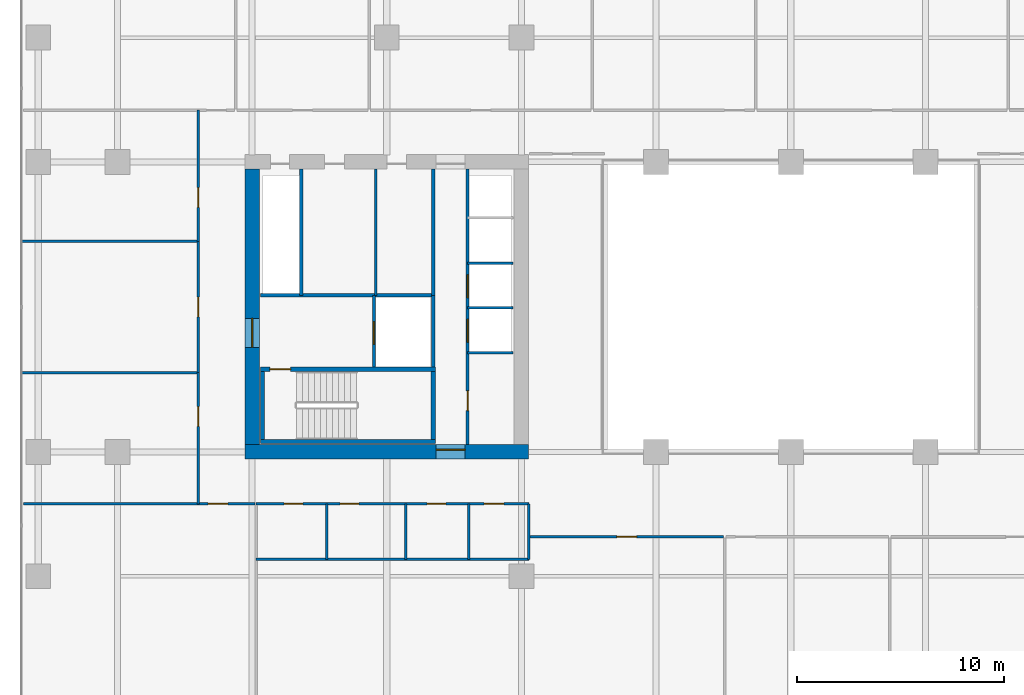
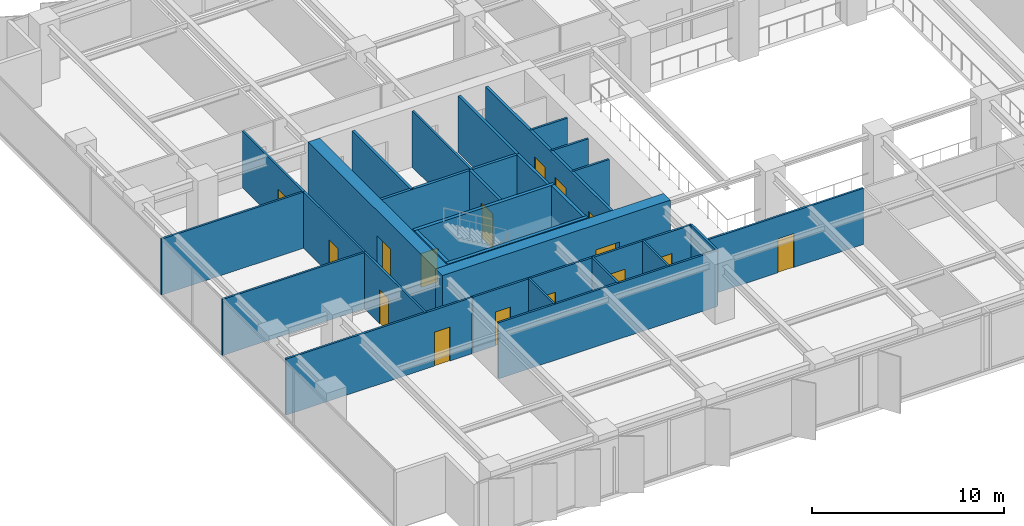
# One storey, part 13 of 20: 29 walls, 16 doors, 16 openings.
"""IFC4 building model written with IfcOpenShell, lengths in metres."""

from ifc_helpers import new_model, si_unit, direction, frame, frame_2d, origin, place, context, subcontext, project, spatial, rectangle, extrude, material, layer, layer_set, type_object, element, fill, save


model = new_model("IFC4")

# Units and contexts
model_context = context("Model", 3, precision=1e-05, world=origin(), true_north=direction((0.0, 1.0)))
body_context = subcontext(model_context, "Body", "Model", "MODEL_VIEW")
ifc_project = project(units=[si_unit("LENGTHUNIT", "METRE"), si_unit("AREAUNIT", "SQUARE_METRE"), si_unit("VOLUMEUNIT", "CUBIC_METRE"), si_unit("PLANEANGLEUNIT", "RADIAN"), si_unit("MASSUNIT", "GRAM", prefix="KILO")], contexts=[model_context])

# Site, building, storey
site_placement = place(None, origin())
site = spatial("IfcSite", under=ifc_project, at=site_placement, CompositionType="ELEMENT")
building_placement = place(site_placement, origin())
building = spatial("IfcBuilding", under=site, at=building_placement, Name="Putna Gate Headquarters", CompositionType="ELEMENT")
storey_placement = place(building_placement, frame((0.0, 0.0, 120.199951171875)))
storey = spatial("IfcBuildingStorey", under=building, at=storey_placement, Name="L29", CompositionType="ELEMENT", Elevation=120.199951171875)

# Wall, opening, door
ifc_material_1 = material(Name="Concrete C60/75", Category="concrete")
ifc_layer_1 = layer(ifc_material_1, 0.699951171875)
ifc_layer_set_1 = layer_set([ifc_layer_1], Name="Concrete C60/75")
wall_type_1 = type_object("IfcWallType", Name="WALL-CORE-700", PredefinedType="SHEAR", material=ifc_layer_set_1)
wall_1_placement = place(storey_placement, frame((12.64990234375, 19.0, 0.0), z_axis=(0.0, 0.0, 1.0), x_axis=(1.0, 0.0, 0.0)))
wall_1 = element("IfcWall", 1, at=wall_1_placement, inside=storey, type_object=wall_type_1, Name="L29 WC Split Core Shear Wall S", PredefinedType="SHEAR", context=body_context, shape_type="SweptSolid", body=[
    extrude(rectangle(XDim=13.7001953125, YDim=0.699951171875, at=frame_2d((6.85009765625, 0.0))), origin(), (0.0, 0.0, 1.0), 3.800048828125),
])
opening_1_placement = place(wall_1_placement, frame((9.22998046875, 0.0, 0.0)))
opening_1 = element("IfcOpeningElement", 2, at=opening_1_placement, cuts=wall_1, Name="Opening FDD-140", PredefinedType="OPENING", context=body_context, shape_type="SweptSolid", body=[
    extrude(rectangle(XDim=1.39990234375, YDim=2.199951171875, at=frame_2d((0.699951171875, 1.10009765625))), frame((0.0, 0.35986328125, 0.0), z_axis=(0.0, -1.0, 0.0), x_axis=(1.0, 0.0, 0.0)), (0.0, 0.0, 1.0), 0.719970703125),
])
ifc_material_2 = material(Name="Double steel fire door", Category="steel")
door_type_1 = type_object("IfcDoorType", Name="DOOR-FIRE-DBL-1400", OperationType="DOUBLE_DOOR_SINGLE_SWING", PredefinedType="DOOR", material=ifc_material_2)
door_1_placement = place(opening_1_placement, origin())
door_1 = element("IfcDoor", 3, at=door_1_placement, inside=storey, type_object=door_type_1, Name="L29 West Lift Lobby South Door", OperationType="DOUBLE_DOOR_SINGLE_SWING", OverallHeight=2.199951171875, OverallWidth=1.39990234375, PredefinedType="DOOR", context=body_context, shape_type="SweptSolid", body=[
    extrude(rectangle(XDim=1.39990234375, YDim=2.199951171875, at=frame_2d((0.699951171875, 1.10009765625))), frame((0.0, 0.125, 0.0), z_axis=(0.0, -1.0, 0.0), x_axis=(1.0, 0.0, 0.0)), (0.0, 0.0, 1.0), 0.050048828125),
])
fill(opening_1, door_1)

wall_2_placement = place(storey_placement, frame((13.0, 19.35009765625, 0.0), z_axis=(0.0, 0.0, 1.0), x_axis=(0.0, 1.0, 0.0)))
wall_2 = element("IfcWall", 4, at=wall_2_placement, inside=storey, type_object=wall_type_1, Name="L29 WC Split Core Shear Wall W", PredefinedType="SHEAR", context=body_context, shape_type="SweptSolid", body=[
    extrude(rectangle(XDim=13.2998046875, YDim=0.699951171875, at=frame_2d((6.64990234375, 0.0))), origin(), (0.0, 0.0, 1.0), 3.800048828125),
])
opening_2_placement = place(wall_2_placement, frame((4.699951171875, 0.0, 0.0)))
opening_2 = element("IfcOpeningElement", 5, at=opening_2_placement, cuts=wall_2, Name="Opening FDD-140", PredefinedType="OPENING", context=body_context, shape_type="SweptSolid", body=[
    extrude(rectangle(XDim=1.39990234375, YDim=2.199951171875, at=frame_2d((0.699951171875, 1.10009765625))), frame((0.0, 0.35986328125, 0.0), z_axis=(0.0, -1.0, 0.0), x_axis=(1.0, 0.0, 0.0)), (0.0, 0.0, 1.0), 0.719970703125),
])
door_2_placement = place(opening_2_placement, origin())
door_2 = element("IfcDoor", 6, at=door_2_placement, inside=storey, type_object=door_type_1, Name="L29 West Firefighting Lobby Door", OperationType="DOUBLE_DOOR_SINGLE_SWING", OverallHeight=2.199951171875, OverallWidth=1.39990234375, PredefinedType="DOOR", context=body_context, shape_type="SweptSolid", body=[
    extrude(rectangle(XDim=1.39990234375, YDim=2.199951171875, at=frame_2d((0.699951171875, 1.10009765625))), frame((0.0, 0.02490234375, 0.0), z_axis=(0.0, -1.0, 0.0), x_axis=(1.0, 0.0, 0.0)), (0.0, 0.0, 1.0), 0.050048828125),
])
fill(opening_2, door_2)

# Walls
ifc_material_3 = material(Name="Acoustic gypsum board on metal stud")
ifc_layer_2 = layer(ifc_material_3, 0.1201171875)
ifc_layer_set_2 = layer_set([ifc_layer_2], Name="Acoustic gypsum board on metal stud")
wall_type_2 = type_object("IfcWallType", Name="WALL-PART-120", PredefinedType="PARTITIONING", material=ifc_layer_set_2)
for number, where, z_axis, x_axis, name in (
    (7, (1.820068359375, 22.833251953125, 0.0), (0.0, 0.0, 1.0), (1.0, 0.0, 0.0), "L29 Interior Wall PART-L29-WW-DIV-1"),
    (8, (1.820068359375, 29.166748046875, 0.0), (0.0, 0.0, 1.0), (1.0, 0.0, 0.0), "L29 Interior Wall PART-L29-WW-DIV-2"),
):
    element("IfcWall", number, at=place(storey_placement, frame(where, z_axis=z_axis, x_axis=x_axis)), inside=storey, type_object=wall_type_2, Name=name, PredefinedType="PARTITIONING", context=body_context, shape_type="SweptSolid", body=[
        extrude(rectangle(XDim=8.579833984375, YDim=0.1201171875, at=frame_2d((4.2900390625, 0.0))), origin(), (0.0, 0.0, 1.0), 3.56494140625),
    ])
ifc_material_4 = material(Name="Fire-rated shaftwall gypsum board on metal stud")
ifc_layer_3 = layer(ifc_material_4, 0.1201171875)
ifc_layer_set_3 = layer_set([ifc_layer_3], Name="Fire-rated shaftwall gypsum board on metal stud")
wall_type_3 = type_object("IfcWallType", Name="WALL-PART-120-EI120", PredefinedType="PARTITIONING", material=ifc_layer_set_3)
for number, where, z_axis, x_axis, name in (
    (9, (23.39990234375, 25.949951171875, 0.0), (0.0, 0.0, 1.0), (1.0, 0.0, 0.0), "L29 Interior Wall CWINT-L29-WC-LF05-DIV"),
    (10, (23.39990234375, 28.1201171875, 0.0), (0.0, 0.0, 1.0), (1.0, 0.0, 0.0), "L29 Interior Wall CWINT-L29-WC-LF06-DIV"),
):
    element("IfcWall", number, at=place(storey_placement, frame(where, z_axis=z_axis, x_axis=x_axis)), inside=storey, type_object=wall_type_3, Name=name, PredefinedType="PARTITIONING", context=body_context, shape_type="SweptSolid", body=[
        extrude(rectangle(XDim=2.2001953125, YDim=0.1201171875, at=frame_2d((1.10009765625, 0.0))), origin(), (0.0, 0.0, 1.0), 3.56494140625),
    ])
ifc_material_5 = material(Name="Fire-rated gypsum board on metal stud")
ifc_layer_4 = layer(ifc_material_5, 0.1201171875)
ifc_layer_set_4 = layer_set([ifc_layer_4], Name="Fire-rated gypsum board on metal stud")
wall_type_4 = type_object("IfcWallType", Name="WALL-PART-120-RATED", PredefinedType="PARTITIONING", material=ifc_layer_set_4)
wall_3_placement = place(storey_placement, frame((18.969970703125, 26.56005859375, 0.0), z_axis=(0.0, 0.0, 1.0), x_axis=(0.0, 1.0, 0.0)))
element("IfcWall", 11, at=wall_3_placement, inside=storey, type_object=wall_type_4, Name="L29 Interior Wall CWINT-L29-WC-K0-DIV", PredefinedType="PARTITIONING", context=body_context, shape_type="SweptSolid", body=[
    extrude(rectangle(XDim=6.08984375, YDim=0.1201171875, at=frame_2d((3.044921875, 0.0))), origin(), (0.0, 0.0, 1.0), 3.56494140625),
])
wall_4_placement = place(storey_placement, frame((23.39990234375, 23.780029296875, 0.0), z_axis=(0.0, 0.0, 1.0), x_axis=(1.0, 0.0, 0.0)))
element("IfcWall", 12, at=wall_4_placement, inside=storey, type_object=wall_type_4, Name="L29 Interior Wall CWINT-L29-WC-LF02-DIV", PredefinedType="PARTITIONING", context=body_context, shape_type="SweptSolid", body=[
    extrude(rectangle(XDim=2.2001953125, YDim=0.1201171875, at=frame_2d((1.10009765625, 0.0))), origin(), (0.0, 0.0, 1.0), 3.56494140625),
])

# Wall, openings, doors
wall_5_placement = place(storey_placement, frame((13.199951171875, 16.5, 0.0), z_axis=(0.0, 0.0, 1.0), x_axis=(1.0, 0.0, 0.0)))
wall_5 = element("IfcWall", 13, at=wall_5_placement, inside=storey, type_object=wall_type_4, Name="L29 Interior Wall PART-L29-SAN-CW", PredefinedType="PARTITIONING", context=body_context, shape_type="SweptSolid", body=[
    extrude(rectangle(XDim=13.16015625, YDim=0.1201171875, at=frame_2d((6.580078125, 0.0))), origin(), (0.0, 0.0, 1.0), 3.56494140625),
])
opening_3_placement = place(wall_5_placement, frame((1.35009765625, 0.0, 0.0)))
opening_3 = element("IfcOpeningElement", 14, at=opening_3_placement, cuts=wall_5, Name="Opening FD-90", PredefinedType="OPENING", context=body_context, shape_type="SweptSolid", body=[
    extrude(rectangle(XDim=0.89990234375, YDim=2.14990234375, at=frame_2d((0.449951171875, 1.074951171875))), frame((0.0, 0.070068359375, 0.0), z_axis=(0.0, -1.0, 0.0), x_axis=(1.0, 0.0, 0.0)), (0.0, 0.0, 1.0), 0.14013671875),
])
opening_4_placement = place(wall_5_placement, frame((4.050048828125, 0.0, 0.0)))
opening_4 = element("IfcOpeningElement", 15, at=opening_4_placement, cuts=wall_5, Name="Opening FD-90", PredefinedType="OPENING", context=body_context, shape_type="SweptSolid", body=[
    extrude(rectangle(XDim=0.89990234375, YDim=2.14990234375, at=frame_2d((0.449951171875, 1.074951171875))), frame((0.0, 0.070068359375, 0.0), z_axis=(0.0, -1.0, 0.0), x_axis=(1.0, 0.0, 0.0)), (0.0, 0.0, 1.0), 0.14013671875),
])
opening_5_placement = place(wall_5_placement, frame((8.25, 0.0, 0.0)))
opening_5 = element("IfcOpeningElement", 16, at=opening_5_placement, cuts=wall_5, Name="Opening FD-90", PredefinedType="OPENING", context=body_context, shape_type="SweptSolid", body=[
    extrude(rectangle(XDim=0.89990234375, YDim=2.14990234375, at=frame_2d((0.449951171875, 1.074951171875))), frame((0.0, 0.070068359375, 0.0), z_axis=(0.0, -1.0, 0.0), x_axis=(1.0, 0.0, 0.0)), (0.0, 0.0, 1.0), 0.14013671875),
])
opening_6_placement = place(wall_5_placement, frame((11.0, 0.0, 0.0)))
opening_6 = element("IfcOpeningElement", 17, at=opening_6_placement, cuts=wall_5, Name="Opening FD-95", PredefinedType="OPENING", context=body_context, shape_type="SweptSolid", body=[
    extrude(rectangle(XDim=0.949951171875, YDim=2.14990234375, at=frame_2d((0.47509765625, 1.074951171875))), frame((0.0, 0.070068359375, 0.0), z_axis=(0.0, -1.0, 0.0), x_axis=(1.0, 0.0, 0.0)), (0.0, 0.0, 1.0), 0.14013671875),
])
ifc_material_6 = material(Name="Acoustic washroom fire door")
door_type_2 = type_object("IfcDoorType", Name="DOOR-FIRE-900", OperationType="NOTDEFINED", PredefinedType="DOOR", material=ifc_material_6)
door_3_placement = place(opening_3_placement, origin())
door_3 = element("IfcDoor", 18, at=door_3_placement, inside=storey, type_object=door_type_2, Name="L29 Washroom Male Door", OperationType="SINGLE_SWING_LEFT", OverallHeight=2.14990234375, OverallWidth=0.89990234375, PredefinedType="DOOR", context=body_context, shape_type="SweptSolid", body=[
    extrude(rectangle(XDim=0.89990234375, YDim=2.14990234375, at=frame_2d((0.449951171875, 1.074951171875))), frame((0.0, 0.02490234375, 0.0), z_axis=(0.0, -1.0, 0.0), x_axis=(1.0, 0.0, 0.0)), (0.0, 0.0, 1.0), 0.050048828125),
])
fill(opening_3, door_3)
door_4_placement = place(opening_4_placement, origin())
door_4 = element("IfcDoor", 19, at=door_4_placement, inside=storey, type_object=door_type_2, Name="L29 Washroom Female Door", OperationType="SINGLE_SWING_RIGHT", OverallHeight=2.14990234375, OverallWidth=0.89990234375, PredefinedType="DOOR", context=body_context, shape_type="SweptSolid", body=[
    extrude(rectangle(XDim=0.89990234375, YDim=2.14990234375, at=frame_2d((0.449951171875, 1.074951171875))), frame((0.0, 0.02490234375, 0.0), z_axis=(0.0, -1.0, 0.0), x_axis=(1.0, 0.0, 0.0)), (0.0, 0.0, 1.0), 0.050048828125),
])
fill(opening_4, door_4)
door_5_placement = place(opening_5_placement, origin())
door_5 = element("IfcDoor", 20, at=door_5_placement, inside=storey, type_object=door_type_2, Name="L29 Accessible WC Door", OperationType="SINGLE_SWING_LEFT", OverallHeight=2.14990234375, OverallWidth=0.89990234375, PredefinedType="DOOR", context=body_context, shape_type="SweptSolid", body=[
    extrude(rectangle(XDim=0.89990234375, YDim=2.14990234375, at=frame_2d((0.449951171875, 1.074951171875))), frame((0.0, 0.02490234375, 0.0), z_axis=(0.0, -1.0, 0.0), x_axis=(1.0, 0.0, 0.0)), (0.0, 0.0, 1.0), 0.050048828125),
])
fill(opening_5, door_5)
ifc_material_7 = material(Name="Acoustic timber fire door", Category="wood")
door_type_3 = type_object("IfcDoorType", Name="DOOR-FIRE-950", OperationType="NOTDEFINED", PredefinedType="DOOR", material=ifc_material_7)
door_6_placement = place(opening_6_placement, origin())
door_6 = element("IfcDoor", 21, at=door_6_placement, inside=storey, type_object=door_type_3, Name="L29 Staff Pantry and Tea Point Door", OperationType="SINGLE_SWING_RIGHT", OverallHeight=2.14990234375, OverallWidth=0.949951171875, PredefinedType="DOOR", context=body_context, shape_type="SweptSolid", body=[
    extrude(rectangle(XDim=0.949951171875, YDim=2.14990234375, at=frame_2d((0.47509765625, 1.074951171875))), frame((0.0, 0.02490234375, 0.0), z_axis=(0.0, -1.0, 0.0), x_axis=(1.0, 0.0, 0.0)), (0.0, 0.0, 1.0), 0.050048828125),
])
fill(opening_6, door_6)

# Walls
wall_6_placement = place(storey_placement, frame((13.199951171875, 13.820068359375, 0.0), z_axis=(0.0, 0.0, 1.0), x_axis=(1.0, 0.0, 0.0)))
element("IfcWall", 22, at=wall_6_placement, inside=storey, type_object=wall_type_4, Name="L29 Interior Wall PART-L29-SAN-BACK", PredefinedType="PARTITIONING", context=body_context, shape_type="SweptSolid", body=[
    extrude(rectangle(XDim=13.16015625, YDim=0.1201171875, at=frame_2d((6.580078125, 0.0))), origin(), (0.0, 0.0, 1.0), 3.56494140625),
])
for number, where, z_axis, x_axis, name in (
    (23, (16.60009765625, 13.820068359375, 0.0), (0.0, 0.0, 1.0), (0.0, 1.0, 0.0), "L29 Interior Wall PART-L29-SAN-DIV-1"),
    (24, (20.419921875, 13.820068359375, 0.0), (0.0, 0.0, 1.0), (0.0, 1.0, 0.0), "L29 Interior Wall PART-L29-SAN-DIV-2"),
    (25, (23.4599609375, 13.820068359375, 0.0), (0.0, 0.0, 1.0), (0.0, 1.0, 0.0), "L29 Interior Wall PART-L29-SAN-DIV-3"),
    (26, (26.360107421875, 13.820068359375, 0.0), (0.0, 0.0, 1.0), (0.0, 1.0, 0.0), "L29 Interior Wall PART-L29-SAN-DIV-4"),
):
    element("IfcWall", number, at=place(storey_placement, frame(where, z_axis=z_axis, x_axis=x_axis)), inside=storey, type_object=wall_type_4, Name=name, PredefinedType="PARTITIONING", context=body_context, shape_type="SweptSolid", body=[
        extrude(rectangle(XDim=2.679931640625, YDim=0.1201171875, at=frame_2d((1.33984375, 0.0))), origin(), (0.0, 0.0, 1.0), 3.56494140625),
    ])

# Wall, opening, door
wall_7_placement = place(storey_placement, frame((1.97998046875, 16.5, 0.0), z_axis=(0.0, 0.0, 1.0), x_axis=(1.0, 0.0, 0.0)))
wall_7 = element("IfcWall", 27, at=wall_7_placement, inside=storey, type_object=wall_type_4, Name="L29 Interior Wall PART-L29-SB-CW-01", PredefinedType="PARTITIONING", context=body_context, shape_type="SweptSolid", body=[
    extrude(rectangle(XDim=11.159912109375, YDim=0.1201171875, at=frame_2d((5.580078125, 0.0))), origin(), (0.0, 0.0, 1.0), 3.56494140625),
])
opening_7_placement = place(wall_7_placement, frame((8.89990234375, 0.0, 0.0)))
opening_7 = element("IfcOpeningElement", 28, at=opening_7_placement, cuts=wall_7, Name="Opening FD-95", PredefinedType="OPENING", context=body_context, shape_type="SweptSolid", body=[
    extrude(rectangle(XDim=0.949951171875, YDim=2.14990234375, at=frame_2d((0.47509765625, 1.074951171875))), frame((0.0, 0.070068359375, 0.0), z_axis=(0.0, -1.0, 0.0), x_axis=(1.0, 0.0, 0.0)), (0.0, 0.0, 1.0), 0.14013671875),
])
door_7_placement = place(opening_7_placement, origin())
door_7 = element("IfcDoor", 29, at=door_7_placement, inside=storey, type_object=door_type_3, Name="L29 Cellular Office 1 Door", OperationType="SINGLE_SWING_LEFT", OverallHeight=2.14990234375, OverallWidth=0.949951171875, PredefinedType="DOOR", context=body_context, shape_type="SweptSolid", body=[
    extrude(rectangle(XDim=0.949951171875, YDim=2.14990234375, at=frame_2d((0.47509765625, 1.074951171875))), frame((0.0, 0.02490234375, 0.0), z_axis=(0.0, -1.0, 0.0), x_axis=(1.0, 0.0, 0.0)), (0.0, 0.0, 1.0), 0.050048828125),
])
fill(opening_7, door_7)

wall_8_placement = place(storey_placement, frame((26.419921875, 14.89990234375, 0.0), z_axis=(0.0, 0.0, 1.0), x_axis=(1.0, 0.0, 0.0)))
wall_8 = element("IfcWall", 30, at=wall_8_placement, inside=storey, type_object=wall_type_4, Name="L29 Interior Wall PART-L29-SB-CW-02", PredefinedType="PARTITIONING", context=body_context, shape_type="SweptSolid", body=[
    extrude(rectangle(XDim=9.320068359375, YDim=0.1201171875, at=frame_2d((4.66015625, 0.0))), origin(), (0.0, 0.0, 1.0), 3.56494140625),
])
opening_8_placement = place(wall_8_placement, frame((4.18505859375, 0.0, 0.0)))
opening_8 = element("IfcOpeningElement", 31, at=opening_8_placement, cuts=wall_8, Name="Opening FD-95", PredefinedType="OPENING", context=body_context, shape_type="SweptSolid", body=[
    extrude(rectangle(XDim=0.949951171875, YDim=2.14990234375, at=frame_2d((0.47509765625, 1.074951171875))), frame((0.0, 0.070068359375, 0.0), z_axis=(0.0, -1.0, 0.0), x_axis=(1.0, 0.0, 0.0)), (0.0, 0.0, 1.0), 0.14013671875),
])
door_8_placement = place(opening_8_placement, origin())
door_8 = element("IfcDoor", 32, at=door_8_placement, inside=storey, type_object=door_type_3, Name="L29 Primary Open Office Workplace Door", OperationType="SINGLE_SWING_RIGHT", OverallHeight=2.14990234375, OverallWidth=0.949951171875, PredefinedType="DOOR", context=body_context, shape_type="SweptSolid", body=[
    extrude(rectangle(XDim=0.949951171875, YDim=2.14990234375, at=frame_2d((0.47509765625, 1.074951171875))), frame((0.0, 0.02490234375, 0.0), z_axis=(0.0, -1.0, 0.0), x_axis=(1.0, 0.0, 0.0)), (0.0, 0.0, 1.0), 0.050048828125),
])
fill(opening_8, door_8)

wall_9_placement = place(storey_placement, frame((10.39990234375, 16.5, 0.0), z_axis=(0.0, 0.0, 1.0), x_axis=(0.0, 1.0, 0.0)))
wall_9 = element("IfcWall", 33, at=wall_9_placement, inside=storey, type_object=wall_type_4, Name="L29 Interior Wall PART-L29-WW-CW-1", PredefinedType="PARTITIONING", context=body_context, shape_type="SweptSolid", body=[
    extrude(rectangle(XDim=6.333251953125, YDim=0.1201171875, at=frame_2d((3.16650390625, 0.0))), origin(), (0.0, 0.0, 1.0), 3.56494140625),
])
opening_9_placement = place(wall_9_placement, frame((3.74169921875, 0.0, 0.0)))
opening_9 = element("IfcOpeningElement", 34, at=opening_9_placement, cuts=wall_9, Name="Opening FD-95", PredefinedType="OPENING", context=body_context, shape_type="SweptSolid", body=[
    extrude(rectangle(XDim=0.949951171875, YDim=2.14990234375, at=frame_2d((0.47509765625, 1.074951171875))), frame((0.0, 0.070068359375, 0.0), z_axis=(0.0, -1.0, 0.0), x_axis=(1.0, 0.0, 0.0)), (0.0, 0.0, 1.0), 0.14013671875),
])
door_9_placement = place(opening_9_placement, origin())
door_9 = element("IfcDoor", 35, at=door_9_placement, inside=storey, type_object=door_type_3, Name="L29 West Project Meeting Room 1 Door", OperationType="SINGLE_SWING_LEFT", OverallHeight=2.14990234375, OverallWidth=0.949951171875, PredefinedType="DOOR", context=body_context, shape_type="SweptSolid", body=[
    extrude(rectangle(XDim=0.949951171875, YDim=2.14990234375, at=frame_2d((0.47509765625, 1.074951171875))), frame((0.0, 0.02490234375, 0.0), z_axis=(0.0, -1.0, 0.0), x_axis=(1.0, 0.0, 0.0)), (0.0, 0.0, 1.0), 0.050048828125),
])
fill(opening_9, door_9)

wall_10_placement = place(storey_placement, frame((10.39990234375, 22.833251953125, 0.0), z_axis=(0.0, 0.0, 1.0), x_axis=(0.0, 1.0, 0.0)))
wall_10 = element("IfcWall", 36, at=wall_10_placement, inside=storey, type_object=wall_type_4, Name="L29 Interior Wall PART-L29-WW-CW-2", PredefinedType="PARTITIONING", context=body_context, shape_type="SweptSolid", body=[
    extrude(rectangle(XDim=6.33349609375, YDim=0.1201171875, at=frame_2d((3.166748046875, 0.0))), origin(), (0.0, 0.0, 1.0), 3.56494140625),
])
opening_10_placement = place(wall_10_placement, frame((2.691650390625, 0.0, 0.0)))
opening_10 = element("IfcOpeningElement", 37, at=opening_10_placement, cuts=wall_10, Name="Opening FD-95", PredefinedType="OPENING", context=body_context, shape_type="SweptSolid", body=[
    extrude(rectangle(XDim=0.949951171875, YDim=2.14990234375, at=frame_2d((0.47509765625, 1.074951171875))), frame((0.0, 0.070068359375, 0.0), z_axis=(0.0, -1.0, 0.0), x_axis=(1.0, 0.0, 0.0)), (0.0, 0.0, 1.0), 0.14013671875),
])
door_10_placement = place(opening_10_placement, origin())
door_10 = element("IfcDoor", 38, at=door_10_placement, inside=storey, type_object=door_type_3, Name="L29 West Project Meeting Room 2 Door", OperationType="SINGLE_SWING_RIGHT", OverallHeight=2.14990234375, OverallWidth=0.949951171875, PredefinedType="DOOR", context=body_context, shape_type="SweptSolid", body=[
    extrude(rectangle(XDim=0.949951171875, YDim=2.14990234375, at=frame_2d((0.47509765625, 1.074951171875))), frame((0.0, 0.02490234375, 0.0), z_axis=(0.0, -1.0, 0.0), x_axis=(1.0, 0.0, 0.0)), (0.0, 0.0, 1.0), 0.050048828125),
])
fill(opening_10, door_10)

wall_11_placement = place(storey_placement, frame((10.39990234375, 29.166748046875, 0.0), z_axis=(0.0, 0.0, 1.0), x_axis=(0.0, 1.0, 0.0)))
wall_11 = element("IfcWall", 39, at=wall_11_placement, inside=storey, type_object=wall_type_4, Name="L29 Interior Wall PART-L29-WW-CW-3", PredefinedType="PARTITIONING", context=body_context, shape_type="SweptSolid", body=[
    extrude(rectangle(XDim=6.333251953125, YDim=0.1201171875, at=frame_2d((3.16650390625, 0.0))), origin(), (0.0, 0.0, 1.0), 3.56494140625),
])
opening_11_placement = place(wall_11_placement, frame((1.6416015625, 0.0, 0.0)))
opening_11 = element("IfcOpeningElement", 40, at=opening_11_placement, cuts=wall_11, Name="Opening FD-95", PredefinedType="OPENING", context=body_context, shape_type="SweptSolid", body=[
    extrude(rectangle(XDim=0.949951171875, YDim=2.14990234375, at=frame_2d((0.47509765625, 1.074951171875))), frame((0.0, 0.070068359375, 0.0), z_axis=(0.0, -1.0, 0.0), x_axis=(1.0, 0.0, 0.0)), (0.0, 0.0, 1.0), 0.14013671875),
])
door_11_placement = place(opening_11_placement, origin())
door_11 = element("IfcDoor", 41, at=door_11_placement, inside=storey, type_object=door_type_3, Name="L29 West Project Meeting Room 3 Door", OperationType="SINGLE_SWING_LEFT", OverallHeight=2.14990234375, OverallWidth=0.949951171875, PredefinedType="DOOR", context=body_context, shape_type="SweptSolid", body=[
    extrude(rectangle(XDim=0.949951171875, YDim=2.14990234375, at=frame_2d((0.47509765625, 1.074951171875))), frame((0.0, 0.02490234375, 0.0), z_axis=(0.0, -1.0, 0.0), x_axis=(1.0, 0.0, 0.0)), (0.0, 0.0, 1.0), 0.050048828125),
])
fill(opening_11, door_11)

# Wall
ifc_material_8 = material(Name="Concrete C40/50", Category="concrete")
ifc_layer_5 = layer(ifc_material_8, 0.159912109375)
ifc_layer_set_5 = layer_set([ifc_layer_5], Name="Concrete C40/50")
wall_type_5 = type_object("IfcWallType", Name="WALL-SHAFT-160", PredefinedType="STANDARD", material=ifc_layer_set_5)
wall_12_placement = place(storey_placement, frame((21.739990234375, 23.090087890625, 0.0), z_axis=(0.0, 0.0, 1.0), x_axis=(0.0, 1.0, 0.0)))
element("IfcWall", 42, at=wall_12_placement, inside=storey, type_object=wall_type_5, Name="L29 Interior Wall CWINT-L29-WC-FFL-E", PredefinedType="STANDARD", context=body_context, shape_type="SweptSolid", body=[
    extrude(rectangle(XDim=3.469970703125, YDim=0.159912109375, at=frame_2d((1.73486328125, 0.0))), origin(), (0.0, 0.0, 1.0), 3.56494140625),
])

# Wall, opening, door
wall_13_placement = place(storey_placement, frame((18.8798828125, 23.090087890625, 0.0), z_axis=(0.0, 0.0, 1.0), x_axis=(0.0, 1.0, 0.0)))
wall_13 = element("IfcWall", 43, at=wall_13_placement, inside=storey, type_object=wall_type_5, Name="L29 Interior Wall CWINT-L29-WC-LF13-W", PredefinedType="STANDARD", context=body_context, shape_type="SweptSolid", body=[
    extrude(rectangle(XDim=3.469970703125, YDim=0.159912109375, at=frame_2d((1.73486328125, 0.0))), origin(), (0.0, 0.0, 1.0), 3.56494140625),
])
opening_12_placement = place(wall_13_placement, frame((1.10009765625, 0.0, 0.0)))
opening_12 = element("IfcOpeningElement", 44, at=opening_12_placement, cuts=wall_13, Name="Opening LD-1", PredefinedType="OPENING", context=body_context, shape_type="SweptSolid", body=[
    extrude(rectangle(XDim=1.10009765625, YDim=2.199951171875, at=frame_2d((0.550048828125, 1.10009765625))), frame((0.0, 0.08984375, 0.0), z_axis=(0.0, -1.0, 0.0), x_axis=(1.0, 0.0, 0.0)), (0.0, 0.0, 1.0), 0.179931640625),
])
ifc_material_9 = material(Name="Brushed bronze stainless lift landing door")
door_type_4 = type_object("IfcDoorType", Name="DOOR-LIFT-1100", OperationType="DOUBLE_DOOR_SLIDING", PredefinedType="DOOR", material=ifc_material_9)
door_12_placement = place(opening_12_placement, origin())
door_12 = element("IfcDoor", 45, at=door_12_placement, inside=storey, type_object=door_type_4, Name="L29 Lift Landing Door LD-13", OperationType="DOUBLE_DOOR_SLIDING", OverallHeight=2.199951171875, OverallWidth=1.10009765625, PredefinedType="DOOR", context=body_context, shape_type="SweptSolid", body=[
    extrude(rectangle(XDim=1.10009765625, YDim=2.199951171875, at=frame_2d((0.550048828125, 1.10009765625))), frame((0.0, 0.02490234375, 0.0), z_axis=(0.0, -1.0, 0.0), x_axis=(1.0, 0.0, 0.0)), (0.0, 0.0, 1.0), 0.050048828125),
])
fill(opening_12, door_12)

# Walls
wall_14_placement = place(storey_placement, frame((13.39990234375, 26.56005859375, 0.0), z_axis=(0.0, 0.0, 1.0), x_axis=(1.0, 0.0, 0.0)))
element("IfcWall", 46, at=wall_14_placement, inside=storey, type_object=wall_type_5, Name="L29 Interior Wall CWINT-L29-WC-FFL-N", PredefinedType="STANDARD", context=body_context, shape_type="SweptSolid", body=[
    extrude(rectangle(XDim=8.340087890625, YDim=0.159912109375, at=frame_2d((4.169921875, 0.0))), origin(), (0.0, 0.0, 1.0), 3.56494140625),
])
for number, where, z_axis, x_axis, name in (
    (47, (15.3798828125, 26.56005859375, 0.0), (0.0, 0.0, 1.0), (0.0, 1.0, 0.0), "L29 Interior Wall CWINT-L29-WC-RISER-E"),
    (48, (21.739990234375, 26.56005859375, 0.0), (0.0, 0.0, 1.0), (0.0, 1.0, 0.0), "L29 Interior Wall CWINT-L29-WC-LOB-W"),
):
    element("IfcWall", number, at=place(storey_placement, frame(where, z_axis=z_axis, x_axis=x_axis)), inside=storey, type_object=wall_type_5, Name=name, PredefinedType="STANDARD", context=body_context, shape_type="SweptSolid", body=[
        extrude(rectangle(XDim=6.08984375, YDim=0.159912109375, at=frame_2d((3.044921875, 0.0))), origin(), (0.0, 0.0, 1.0), 3.56494140625),
    ])

# Wall, openings, doors
wall_15_placement = place(storey_placement, frame((23.39990234375, 19.35009765625, 0.0), z_axis=(0.0, 0.0, 1.0), x_axis=(0.0, 1.0, 0.0)))
wall_15 = element("IfcWall", 49, at=wall_15_placement, inside=storey, type_object=wall_type_5, Name="L29 Interior Wall CWINT-L29-WC-PL-WALL", PredefinedType="STANDARD", context=body_context, shape_type="SweptSolid", body=[
    extrude(rectangle(XDim=13.2998046875, YDim=0.159912109375, at=frame_2d((6.64990234375, 0.0))), origin(), (0.0, 0.0, 1.0), 3.56494140625),
])
opening_13_placement = place(wall_15_placement, frame((1.64990234375, 0.0, 0.0)))
opening_13 = element("IfcOpeningElement", 50, at=opening_13_placement, cuts=wall_15, Name="Opening IDS-95", PredefinedType="OPENING", context=body_context, shape_type="SweptSolid", body=[
    extrude(rectangle(XDim=0.949951171875, YDim=2.14990234375, at=frame_2d((0.47509765625, 1.074951171875))), frame((0.0, 0.08984375, 0.0), z_axis=(0.0, -1.0, 0.0), x_axis=(1.0, 0.0, 0.0)), (0.0, 0.0, 1.0), 0.179931640625),
])
opening_14_placement = place(wall_15_placement, frame((4.949951171875, 0.0, 0.0)))
opening_14 = element("IfcOpeningElement", 51, at=opening_14_placement, cuts=wall_15, Name="Opening LD-1", PredefinedType="OPENING", context=body_context, shape_type="SweptSolid", body=[
    extrude(rectangle(XDim=1.10009765625, YDim=2.199951171875, at=frame_2d((0.550048828125, 1.10009765625))), frame((0.0, 0.08984375, 0.0), z_axis=(0.0, -1.0, 0.0), x_axis=(1.0, 0.0, 0.0)), (0.0, 0.0, 1.0), 0.179931640625),
])
opening_15_placement = place(wall_15_placement, frame((7.10009765625, 0.0, 0.0)))
opening_15 = element("IfcOpeningElement", 52, at=opening_15_placement, cuts=wall_15, Name="Opening LD-1", PredefinedType="OPENING", context=body_context, shape_type="SweptSolid", body=[
    extrude(rectangle(XDim=1.10009765625, YDim=2.199951171875, at=frame_2d((0.550048828125, 1.10009765625))), frame((0.0, 0.08984375, 0.0), z_axis=(0.0, -1.0, 0.0), x_axis=(1.0, 0.0, 0.0)), (0.0, 0.0, 1.0), 0.179931640625),
])
ifc_material_10 = material(Name="Fire-rated service timber door", Category="wood")
door_type_5 = type_object("IfcDoorType", Name="DOOR-INT-950", OperationType="NOTDEFINED", PredefinedType="DOOR", material=ifc_material_10)
door_13_placement = place(opening_13_placement, origin())
door_13 = element("IfcDoor", 53, at=door_13_placement, inside=storey, type_object=door_type_5, Name="L29 Document Archive Door", OperationType="SINGLE_SWING_LEFT", OverallHeight=2.14990234375, OverallWidth=0.949951171875, PredefinedType="DOOR", context=body_context, shape_type="SweptSolid", body=[
    extrude(rectangle(XDim=0.949951171875, YDim=2.14990234375, at=frame_2d((0.47509765625, 1.074951171875))), frame((0.0, 0.02490234375, 0.0), z_axis=(0.0, -1.0, 0.0), x_axis=(1.0, 0.0, 0.0)), (0.0, 0.0, 1.0), 0.050048828125),
])
fill(opening_13, door_13)
door_14_placement = place(opening_14_placement, origin())
door_14 = element("IfcDoor", 54, at=door_14_placement, inside=storey, type_object=door_type_4, Name="L29 Lift Landing Door LD-05", OperationType="DOUBLE_DOOR_SLIDING", OverallHeight=2.199951171875, OverallWidth=1.10009765625, PredefinedType="DOOR", context=body_context, shape_type="SweptSolid", body=[
    extrude(rectangle(XDim=1.10009765625, YDim=2.199951171875, at=frame_2d((0.550048828125, 1.10009765625))), frame((0.0, 0.02490234375, 0.0), z_axis=(0.0, -1.0, 0.0), x_axis=(1.0, 0.0, 0.0)), (0.0, 0.0, 1.0), 0.050048828125),
])
fill(opening_14, door_14)
door_15_placement = place(opening_15_placement, origin())
door_15 = element("IfcDoor", 55, at=door_15_placement, inside=storey, type_object=door_type_4, Name="L29 Lift Landing Door LD-06", OperationType="DOUBLE_DOOR_SLIDING", OverallHeight=2.199951171875, OverallWidth=1.10009765625, PredefinedType="DOOR", context=body_context, shape_type="SweptSolid", body=[
    extrude(rectangle(XDim=1.10009765625, YDim=2.199951171875, at=frame_2d((0.550048828125, 1.10009765625))), frame((0.0, 0.02490234375, 0.0), z_axis=(0.0, -1.0, 0.0), x_axis=(1.0, 0.0, 0.0)), (0.0, 0.0, 1.0), 0.050048828125),
])
fill(opening_15, door_15)

# Wall
ifc_layer_6 = layer(ifc_material_8, 0.199951171875)
ifc_layer_set_6 = layer_set([ifc_layer_6], Name="Concrete C40/50")
wall_type_6 = type_object("IfcWallType", Name="WALL-SHAFT-RC200", PredefinedType="SHEAR", material=ifc_layer_set_6)
wall_16_placement = place(storey_placement, frame((13.409912109375, 19.510009765625, 0.0), z_axis=(0.0, 0.0, 1.0), x_axis=(1.0, 0.0, 0.0)))
element("IfcWall", 56, at=wall_16_placement, inside=storey, type_object=wall_type_6, Name="L29 Stair ST1 Structural Shaft Wall S", PredefinedType="SHEAR", context=body_context, shape_type="SweptSolid", body=[
    extrude(rectangle(XDim=8.43017578125, YDim=0.199951171875, at=frame_2d((4.215087890625, 0.0))), origin(), (0.0, 0.0, 1.0), 3.800048828125),
])

# Wall, opening, door
wall_17_placement = place(storey_placement, frame((13.409912109375, 22.989990234375, 0.0), z_axis=(0.0, 0.0, 1.0), x_axis=(1.0, 0.0, 0.0)))
wall_17 = element("IfcWall", 57, at=wall_17_placement, inside=storey, type_object=wall_type_6, Name="L29 Stair ST1 Structural Shaft Wall N", PredefinedType="SHEAR", context=body_context, shape_type="SweptSolid", body=[
    extrude(rectangle(XDim=8.43017578125, YDim=0.199951171875, at=frame_2d((4.215087890625, 0.0))), origin(), (0.0, 0.0, 1.0), 3.800048828125),
])
opening_16_placement = place(wall_17_placement, frame((0.449951171875, 0.0, 0.0)))
opening_16 = element("IfcOpeningElement", 58, at=opening_16_placement, cuts=wall_17, Name="Opening FD-100", PredefinedType="OPENING", context=body_context, shape_type="SweptSolid", body=[
    extrude(rectangle(XDim=1.0, YDim=2.14990234375, at=frame_2d((0.5, 1.074951171875))), frame((0.0, 0.10986328125, 0.0), z_axis=(0.0, -1.0, 0.0), x_axis=(1.0, 0.0, 0.0)), (0.0, 0.0, 1.0), 0.219970703125),
])
ifc_material_11 = material(Name="Powder-coated steel fire door", Category="steel")
door_type_6 = type_object("IfcDoorType", Name="DOOR-FIRE-1000", OperationType="NOTDEFINED", PredefinedType="DOOR", material=ifc_material_11)
door_16_placement = place(opening_16_placement, origin())
door_16 = element("IfcDoor", 59, at=door_16_placement, inside=storey, type_object=door_type_6, Name="L29 Stair ST1 Fire Door", OperationType="SINGLE_SWING_LEFT", OverallHeight=2.14990234375, OverallWidth=1.0, PredefinedType="DOOR", context=body_context, shape_type="SweptSolid", body=[
    extrude(rectangle(XDim=1.0, YDim=2.14990234375, at=frame_2d((0.5, 1.074951171875))), frame((0.0, 0.02490234375, 0.0), z_axis=(0.0, -1.0, 0.0), x_axis=(1.0, 0.0, 0.0)), (0.0, 0.0, 1.0), 0.050048828125),
])
fill(opening_16, door_16)

# Walls
for number, where, z_axis, x_axis, name in (
    (60, (13.510009765625, 19.610107421875, 0.0), (0.0, 0.0, 1.0), (0.0, 1.0, 0.0), "L29 Stair ST1 Structural Shaft Wall W"),
    (61, (21.739990234375, 19.610107421875, 0.0), (0.0, 0.0, 1.0), (0.0, 1.0, 0.0), "L29 Stair ST1 Structural Shaft Wall E"),
):
    element("IfcWall", number, at=place(storey_placement, frame(where, z_axis=z_axis, x_axis=x_axis)), inside=storey, type_object=wall_type_6, Name=name, PredefinedType="SHEAR", context=body_context, shape_type="SweptSolid", body=[
        extrude(rectangle(XDim=3.27978515625, YDim=0.199951171875, at=frame_2d((1.639892578125, 0.0))), origin(), (0.0, 0.0, 1.0), 3.800048828125),
    ])

save(model, "model.ifc")
